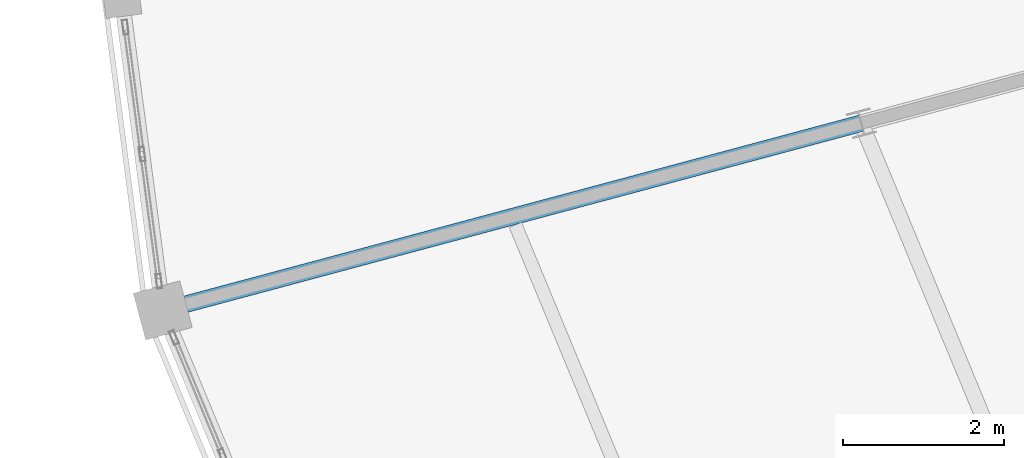
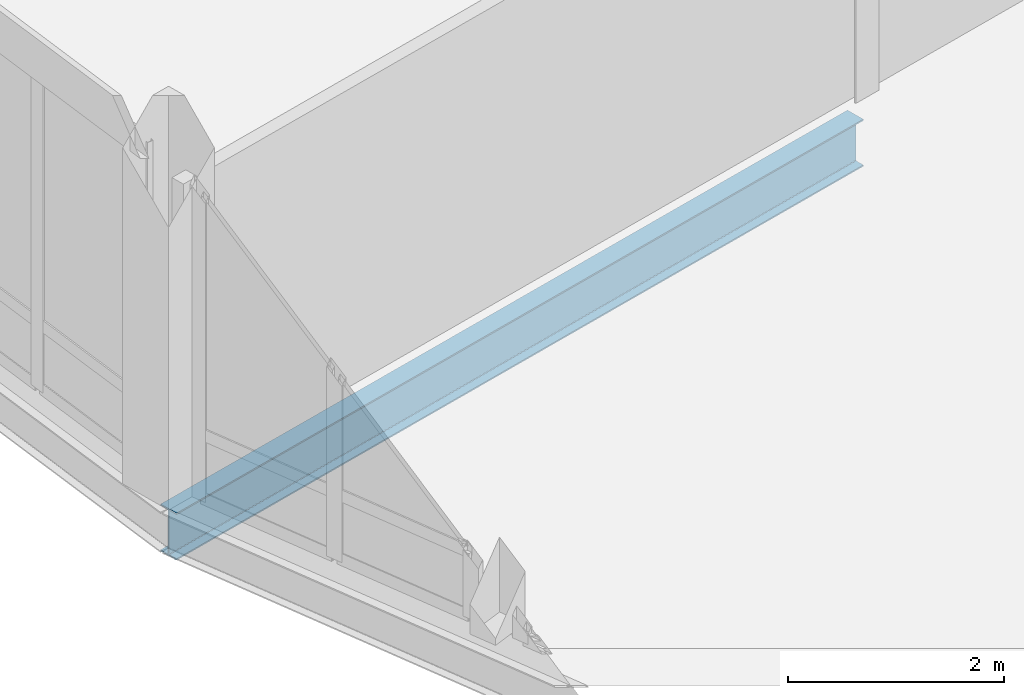
# One storey, part 31 of 170: 1 beam.
"""IFC4 building model written with IfcOpenShell, lengths in metres."""

from ifc_helpers import new_model, si_unit, direction, frame, origin, origin_2d, place, context, subcontext, project, spatial, i_section, extrude, material, material_profile, profile_set, type_object, element, save


model = new_model("IFC4")

# Units and contexts
model_context = context("Model", 3, precision=1e-05, world=origin(), true_north=direction((0.0, 1.0)))
body_context = subcontext(model_context, "Body", "Model", "MODEL_VIEW")
ifc_project = project(units=[si_unit("LENGTHUNIT", "METRE"), si_unit("AREAUNIT", "SQUARE_METRE"), si_unit("VOLUMEUNIT", "CUBIC_METRE"), si_unit("PLANEANGLEUNIT", "RADIAN"), si_unit("MASSUNIT", "GRAM", prefix="KILO")], contexts=[model_context])

# Site, building, storey
site_placement = place(None, origin())
site = spatial("IfcSite", under=ifc_project, at=site_placement, CompositionType="ELEMENT")
building_placement = place(site_placement, origin())
building = spatial("IfcBuilding", under=site, at=building_placement, Name="Vondelvale Polytechnic", CompositionType="ELEMENT")
storey_placement = place(building_placement, frame((0.0, 0.0, 5.39990234375)))
storey = spatial("IfcBuildingStorey", under=building, at=storey_placement, Name="L01", CompositionType="ELEMENT", Elevation=5.39990234375)

# Beam
ifc_material = material(Name="Steel 300PLUS (fy = 300 MPa)", Category="steel")
ifc_material_profile = material_profile(ifc_material, i_section(OverallWidth=0.208984375, OverallDepth=0.532958984375, WebThickness=0.01025390625, FlangeThickness=0.015625, FilletRadius=0.013916015625, at=origin_2d()), Name="530UB92.4")
ifc_profile_set = profile_set([ifc_material_profile], Name="Steel 300PLUS (fy = 300 MPa)")
beam_type = type_object("IfcBeamType", Name="BM-UB530", PredefinedType="BEAM", material=ifc_profile_set)
beam_placement = place(storey_placement, frame((66.2607421875, 62.423583984375, -0.54638671875), z_axis=(-0.965926740751, -0.25881563226, 0.0), x_axis=(0.25881563226, -0.965926740751, 0.0)))
element("IfcBeam", 1, at=beam_placement, inside=storey, type_object=beam_type, Name="L01 RG B-11", PredefinedType="BEAM", context=body_context, shape_type="SweptSolid", body=[
    extrude(i_section(OverallWidth=0.208984375, OverallDepth=0.532958984375, WebThickness=0.01025390625, FlangeThickness=0.015625, FilletRadius=0.013916015625, at=origin_2d()), origin(), (0.0, 0.0, 1.0), 9.0),
])

save(model, "model.ifc")
